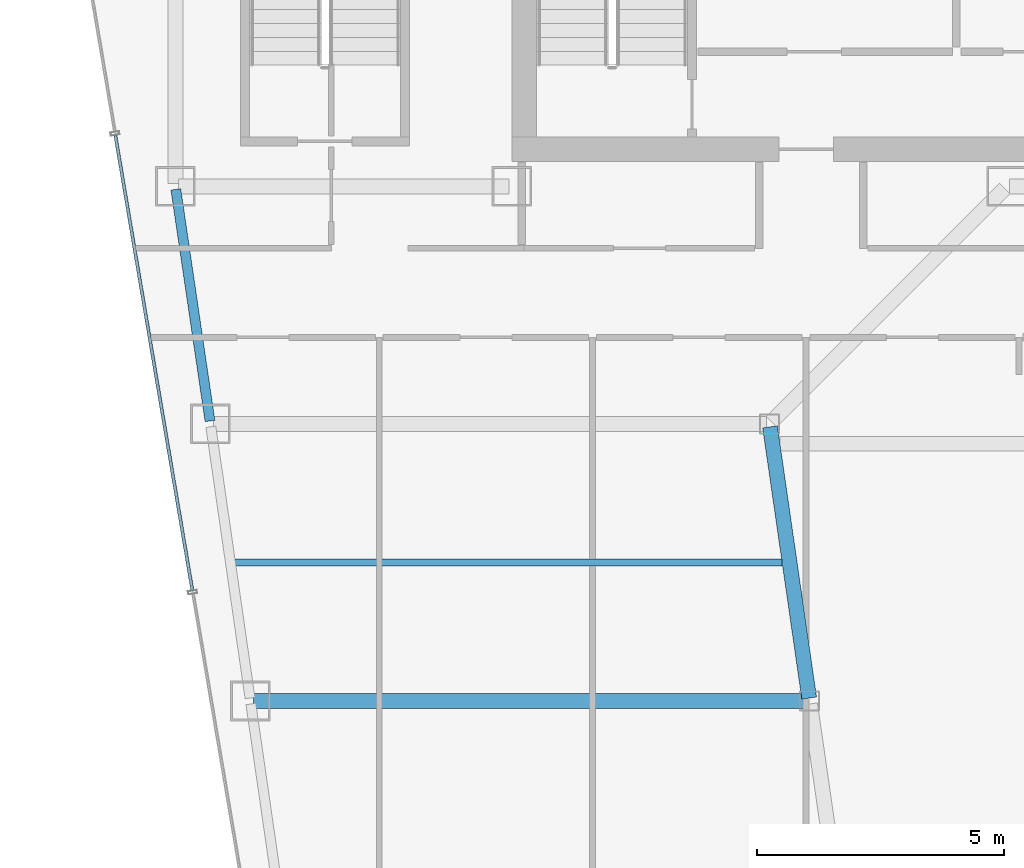
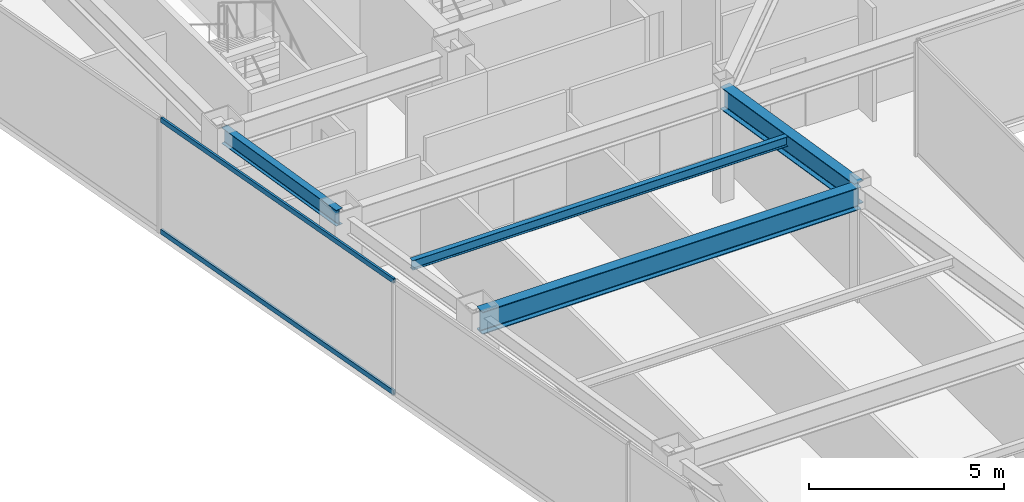
# One storey, part 10 of 35: 4 beams, 2 members, 1 element without a shape of its own.
"""IFC4 building model written with IfcOpenShell, lengths in metres."""

from ifc_helpers import new_model, si_unit, direction, frame, origin, origin_2d, place, context, subcontext, project, spatial, hollow_rectangle, i_section, extrude, material, material_profile, profile_set, type_object, element, aggregate, save


model = new_model("IFC4")

# Units and contexts
model_context = context("Model", 3, precision=1e-05, world=origin(), true_north=direction((0.0, 1.0)))
body_context = subcontext(model_context, "Body", "Model", "MODEL_VIEW")
ifc_project = project(units=[si_unit("LENGTHUNIT", "METRE"), si_unit("AREAUNIT", "SQUARE_METRE"), si_unit("VOLUMEUNIT", "CUBIC_METRE"), si_unit("PLANEANGLEUNIT", "RADIAN"), si_unit("MASSUNIT", "GRAM", prefix="KILO")], contexts=[model_context])

# Site, building, storey
site_placement = place(None, origin())
site = spatial("IfcSite", under=ifc_project, at=site_placement, CompositionType="ELEMENT")
building_placement = place(site_placement, origin())
building = spatial("IfcBuilding", under=site, at=building_placement, Name="Saevonmaru Cultural Tower", CompositionType="ELEMENT")
storey_placement = place(building_placement, frame((0.0, 0.0, 194.199951171875)))
storey = spatial("IfcBuildingStorey", under=building, at=storey_placement, Name="L44", CompositionType="ELEMENT", Elevation=194.199951171875)

# Beams
ifc_material_1 = material(Name="Steel SM355", Category="steel")
ifc_material_profile_1 = material_profile(ifc_material_1, i_section(OverallWidth=0.300048828125, OverallDepth=0.699951171875, WebThickness=0.012939453125, FlangeThickness=0.02392578125, FilletRadius=0.02587890625, at=origin_2d()), Name="H-700x300x13x24")
ifc_profile_set_1 = profile_set([ifc_material_profile_1], Name="Steel SM355")
beam_type_1 = type_object("IfcBeamType", Name="BM-G-H700", PredefinedType="BEAM", material=ifc_profile_set_1)
beam_1_placement = place(storey_placement, frame((19.6083984375, 32.059326171875, 3.199951171875), z_axis=(-0.142964121327, 0.989727871697, 0.0), x_axis=(-0.989727871697, -0.142964121327, 0.0)))
element("IfcBeam", 1, at=beam_1_placement, inside=storey, type_object=beam_type_1, Name="L44 West Atrium Girder 3", PredefinedType="BEAM", context=body_context, shape_type="SweptSolid", body=[
    extrude(i_section(OverallWidth=0.300048828125, OverallDepth=0.699951171875, WebThickness=0.012939453125, FlangeThickness=0.02392578125, FilletRadius=0.02587890625, at=origin_2d()), origin(), (0.0, 0.0, 1.0), 5.5380859375),
])
beam_2_placement = place(storey_placement, frame((8.376953125, 32.0, 3.199951171875), z_axis=(1.0, 0.0, 0.0), x_axis=(0.0, 1.0, 0.0)))
element("IfcBeam", 2, at=beam_2_placement, inside=storey, type_object=beam_type_1, Name="L44 West Wing Transverse Girder 3", PredefinedType="BEAM", context=body_context, shape_type="SweptSolid", body=[
    extrude(i_section(OverallWidth=0.300048828125, OverallDepth=0.699951171875, WebThickness=0.012939453125, FlangeThickness=0.02392578125, FilletRadius=0.02587890625, at=origin_2d()), origin(), (0.0, 0.0, 1.0), 11.179931640625),
])
ifc_material_profile_2 = material_profile(ifc_material_1, i_section(OverallWidth=0.14990234375, OverallDepth=0.300048828125, WebThickness=0.006591796875, FlangeThickness=0.009033203125, FilletRadius=0.012939453125, at=origin_2d()), Name="H-300x150x6.5x9")
ifc_profile_set_2 = profile_set([ifc_material_profile_2], Name="Steel SM355")
beam_type_2 = type_object("IfcBeamType", Name="BM-J-H300", PredefinedType="JOIST", material=ifc_profile_set_2)
beam_3_placement = place(storey_placement, frame((7.972412109375, 34.800048828125, 3.400146484375), z_axis=(1.0, 0.0, 0.0), x_axis=(0.0, 1.0, 0.0)))
element("IfcBeam", 3, at=beam_3_placement, inside=storey, type_object=beam_type_2, Name="L44 West Wing Floor Joist 3", PredefinedType="JOIST", context=body_context, shape_type="SweptSolid", body=[
    extrude(i_section(OverallWidth=0.14990234375, OverallDepth=0.300048828125, WebThickness=0.006591796875, FlangeThickness=0.009033203125, FilletRadius=0.012939453125, at=origin_2d()), origin(), (0.0, 0.0, 1.0), 11.08203125),
])
ifc_material_profile_3 = material_profile(ifc_material_1, i_section(OverallWidth=0.199951171875, OverallDepth=0.5, WebThickness=0.010009765625, FlangeThickness=0.01611328125, FilletRadius=0.02001953125, at=origin_2d()), Name="H-500x200x10x16")
ifc_profile_set_3 = profile_set([ifc_material_profile_3], Name="Steel SM355")
beam_type_3 = type_object("IfcBeamType", Name="BM-SP-H500", PredefinedType="SPANDREL", material=ifc_profile_set_3)
beam_4_placement = place(storey_placement, frame((7.499267578125, 37.659423828125, 3.300048828125), z_axis=(-0.145912860028, 0.989297446312, 0.0), x_axis=(-0.989297446312, -0.145912860028, 0.0)))
element("IfcBeam", 4, at=beam_4_placement, inside=storey, type_object=beam_type_3, Name="L44 West Splayed Spandrel 4", PredefinedType="SPANDREL", context=body_context, shape_type="SweptSolid", body=[
    extrude(i_section(OverallWidth=0.199951171875, OverallDepth=0.5, WebThickness=0.010009765625, FlangeThickness=0.01611328125, FilletRadius=0.02001953125, at=origin_2d()), origin(), (0.0, 0.0, 1.0), 4.731689453125),
])

# Curtain wall, members
ifc_material_2 = material(Name="Satin Bronze Anodised Aluminium", Category="aluminium")
curtain_wall_type = type_object("IfcCurtainWallType", Name="CW-TYP-B", PredefinedType="NOTDEFINED", material=ifc_material_2)
curtain_wall_placement = place(storey_placement, origin())
curtain_wall = element("IfcCurtainWall", 5, at=curtain_wall_placement, inside=storey, type_object=curtain_wall_type, Name="L44 Unitised Curtain Wall E12", PredefinedType="NOTDEFINED")
ifc_material_profile_4 = material_profile(ifc_material_2, hollow_rectangle(XDim=0.06494140625, YDim=0.14990234375, WallThickness=0.00390625, at=origin_2d()), Name="ALU-TRAN-150x65x4")
ifc_profile_set_4 = profile_set([ifc_material_profile_4], Name="Satin Bronze Anodised Aluminium")
member_type = type_object("IfcMemberType", Name="TR-CW-150x65", PredefinedType="USERDEFINED", material=ifc_profile_set_4)
member_1_placement = place(storey_placement, frame((5.5849609375, 43.4384765625, 0.032470703125), z_axis=(0.166916960754, -0.985970957084, 0.0), x_axis=(0.985970957084, 0.166916960754, 0.0)))
member_1 = element("IfcMember", 6, at=member_1_placement, type_object=member_type, Name="CW-TW-L44-E12 transom 2.1", ObjectType="TRANSOM", PredefinedType="USERDEFINED", context=body_context, shape_type="SweptSolid", body=[
    extrude(hollow_rectangle(XDim=0.06494140625, YDim=0.14990234375, WallThickness=0.00390625, at=origin_2d()), origin(), (0.0, 0.0, 1.0), 9.337646484375),
])
member_2_placement = place(storey_placement, frame((5.5849609375, 43.4384765625, 3.517578125), z_axis=(0.166916960754, -0.985970957084, 0.0), x_axis=(0.985970957084, 0.166916960754, 0.0)))
member_2 = element("IfcMember", 7, at=member_2_placement, type_object=member_type, Name="CW-TW-L44-E12 transom 2.2", ObjectType="TRANSOM", PredefinedType="USERDEFINED", context=body_context, shape_type="SweptSolid", body=[
    extrude(hollow_rectangle(XDim=0.06494140625, YDim=0.14990234375, WallThickness=0.00390625, at=origin_2d()), origin(), (0.0, 0.0, 1.0), 9.337646484375),
])
aggregate(curtain_wall, [member_1, member_2])

save(model, "model.ifc")
